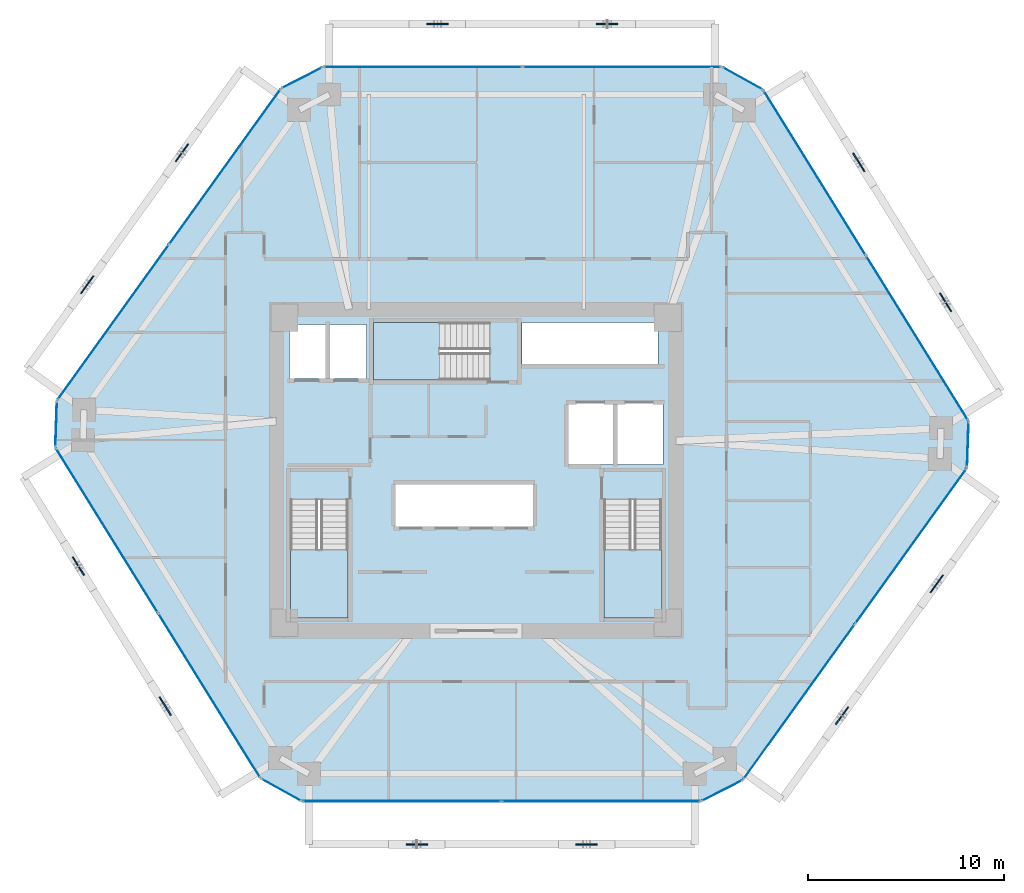
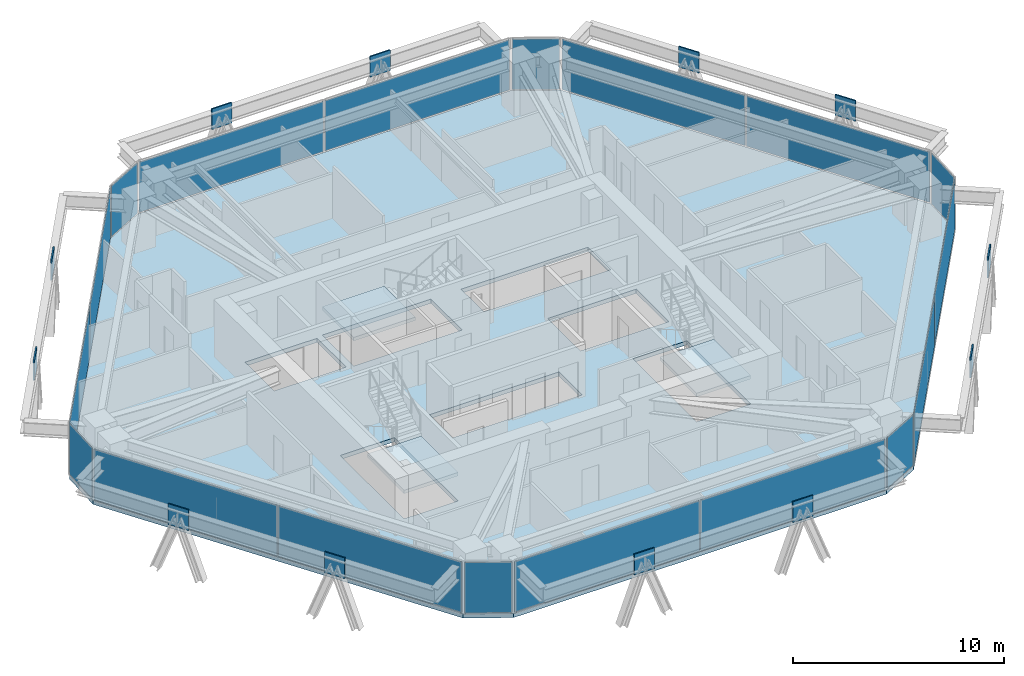
# One storey, part 9 of 16: 30 plates, 4 slabs, 15 elements without a shape of their own.
"""IFC4 building model written with IfcOpenShell, lengths in metres."""

from ifc_helpers import new_model, si_unit, direction, frame, origin, origin_2d, place, context, subcontext, project, spatial, polyline, rectangle, outline, extrude, source, transform, mapped, material, layer, layer_set, type_object, type_shapes, element, aggregate, save


model = new_model("IFC4")

# Units and contexts
model_context = context("Model", 3, precision=1e-05, world=origin(), true_north=direction((0.0, 1.0)))
body_context = subcontext(model_context, "Body", "Model", "MODEL_VIEW")
ifc_project = project(units=[si_unit("LENGTHUNIT", "METRE"), si_unit("AREAUNIT", "SQUARE_METRE"), si_unit("VOLUMEUNIT", "CUBIC_METRE"), si_unit("PLANEANGLEUNIT", "RADIAN"), si_unit("MASSUNIT", "GRAM", prefix="KILO")], contexts=[model_context])

# Site, building, storey
site_placement = place(None, origin())
site = spatial("IfcSite", under=ifc_project, at=site_placement, CompositionType="ELEMENT")
building_placement = place(site_placement, origin())
building = spatial("IfcBuilding", under=site, at=building_placement, Name="Durnholm Broadcast Tower", CompositionType="ELEMENT")
storey_placement = place(building_placement, frame((0.0, 0.0, 117.300048828125)))
storey = spatial("IfcBuildingStorey", under=building, at=storey_placement, Name="L31", CompositionType="ELEMENT", Elevation=117.300048828125)

# Slab
ifc_material_1 = material(Name="Concrete C50/60", Category="concrete")
ifc_layer_1 = layer(ifc_material_1, 0.239990234375)
ifc_layer_set_1 = layer_set([ifc_layer_1], Name="Concrete C50/60")
slab_type_1 = type_object("IfcSlabType", Name="SLAB-FLR-240", PredefinedType="FLOOR", material=ifc_layer_set_1)
slab_1_placement = place(storey_placement, frame((0.0, 0.0, -0.239990234375)))
element("IfcSlab", 1, at=slab_1_placement, inside=storey, type_object=slab_type_1, Name="L31 structural floor slab", PredefinedType="FLOOR", context=body_context, shape_type="SweptSolid", body=[
    extrude(outline(polyline([(-11.012451171875, -15.77001953125), (-8.915283203125, -16.93701171875), (11.51416015625, -16.93701171875), (13.649658203125, -15.841796875), (25.11279296875, 0.114990234375), (25.1943359375, 2.513671875), (14.6904296875, 19.447998046875), (12.59326171875, 20.614990234375), (-7.836181640625, 20.614990234375), (-9.9716796875, 19.519775390625), (-21.434814453125, 3.56298828125), (-21.516357421875, 1.164306640625), (-11.012451171875, -15.77001953125)]), holes=[polyline([(-6.5400390625, -1.5), (-9.5, -1.5), (-9.5, -7.550048828125), (-6.5400390625, -7.550048828125), (-6.5400390625, -1.5)]), polyline([(9.5, -7.550048828125), (9.5, -1.5), (6.5400390625, -1.5), (6.5400390625, -7.550048828125), (9.5, -7.550048828125)]), polyline([(2.949951171875, -0.699951171875), (-4.14990234375, -0.699951171875), (-4.14990234375, -2.89990234375), (2.949951171875, -2.89990234375), (2.949951171875, -0.699951171875)]), polyline([(9.550048828125, 3.39990234375), (4.699951171875, 3.39990234375), (4.699951171875, 0.300048828125), (9.550048828125, 0.300048828125), (9.550048828125, 3.39990234375)]), polyline([(-5.60009765625, 7.449951171875), (-9.550048828125, 7.449951171875), (-9.550048828125, 4.699951171875), (-5.60009765625, 4.699951171875), (-5.60009765625, 7.449951171875)]), polyline([(-5.25, 4.60009765625), (0.699951171875, 4.60009765625), (0.699951171875, 7.56005859375), (-5.25, 7.56005859375), (-5.25, 4.60009765625)]), polyline([(9.31005859375, 7.550048828125), (2.35009765625, 7.550048828125), (2.35009765625, 5.39990234375), (9.31005859375, 5.39990234375), (9.31005859375, 7.550048828125)])]), origin(), (0.0, 0.0, 1.0), 0.239990234375),
])

# Stair, slab
stair_type = type_object("IfcStairType", Name="STAIR-DL-20R1650", PredefinedType="HALF_TURN_STAIR", material=ifc_material_1)
stair_1_placement = place(storey_placement, origin())
stair_1 = element("IfcStair", 2, at=stair_1_placement, inside=storey, type_object=stair_type, Name="L31 ST-1", PredefinedType="HALF_TURN_STAIR")
ifc_layer_2 = layer(ifc_material_1, 0.199951171875)
ifc_layer_set_2 = layer_set([ifc_layer_2], Name="Concrete C50/60")
slab_type_2 = type_object("IfcSlabType", Name="SLAB-LND-200", PredefinedType="LANDING", material=ifc_layer_set_2)
slab_2_placement = place(storey_placement, frame((0.0, 0.0, 1.449951171875)))
slab_2 = element("IfcSlab", 3, at=slab_2_placement, type_object=slab_type_2, Name="ST-1 landing 1", PredefinedType="LANDING", context=body_context, shape_type="SweptSolid", body=[
    extrude(outline(polyline([(-9.5, -4.06494140625), (-9.5, -7.550048828125), (-6.5400390625, -7.550048828125), (-6.5400390625, -4.06494140625), (-9.5, -4.06494140625)])), origin(), (0.0, 0.0, 1.0), 0.199951171875),
])
aggregate(stair_1, [slab_2])

stair_2_placement = place(storey_placement, origin())
stair_2 = element("IfcStair", 4, at=stair_2_placement, inside=storey, type_object=stair_type, Name="L31 ST-2", PredefinedType="HALF_TURN_STAIR")
slab_3_placement = place(storey_placement, frame((0.0, 0.0, 1.449951171875)))
slab_3 = element("IfcSlab", 5, at=slab_3_placement, type_object=slab_type_2, Name="ST-2 landing 1", PredefinedType="LANDING", context=body_context, shape_type="SweptSolid", body=[
    extrude(outline(polyline([(6.5400390625, -4.06494140625), (6.5400390625, -7.550048828125), (9.5, -7.550048828125), (9.5, -4.06494140625), (6.5400390625, -4.06494140625)])), origin(), (0.0, 0.0, 1.0), 0.199951171875),
])
aggregate(stair_2, [slab_3])

stair_3_placement = place(storey_placement, origin())
stair_3 = element("IfcStair", 6, at=stair_3_placement, inside=storey, type_object=stair_type, Name="L31 ST-3", PredefinedType="HALF_TURN_STAIR")
slab_4_placement = place(storey_placement, frame((0.0, 0.0, 1.449951171875)))
slab_4 = element("IfcSlab", 7, at=slab_4_placement, type_object=slab_type_2, Name="ST-3 landing 1", PredefinedType="LANDING", context=body_context, shape_type="SweptSolid", body=[
    extrude(outline(polyline([(-1.864990234375, 7.56005859375), (-5.25, 7.56005859375), (-5.25, 4.60009765625), (-1.864990234375, 4.60009765625), (-1.864990234375, 7.56005859375)])), origin(), (0.0, 0.0, 1.0), 0.199951171875),
])
aggregate(stair_3, [slab_4])

# Plates
ifc_material_2 = material(Name="Steel ASTM A572 Grade 50", Category="steel")
ifc_layer_3 = layer(ifc_material_2, 0.070068359375)
ifc_layer_set_3 = layer_set([ifc_layer_3], Name="Steel ASTM A572 Grade 50")
plate_type_1 = type_object("IfcPlateType", Name="PLT-KN05-GUS", PredefinedType="USERDEFINED", material=ifc_layer_set_3)
shared_shape_1 = source(origin(), body_context, "Body", "SweptSolid", [
    extrude(rectangle(XDim=1.10009765625, YDim=0.070068359375, at=origin_2d()), origin(), (0.0, 0.0, 1.0), 1.199951171875),
])
type_shapes(plate_type_1, [shared_shape_1])
for number, where, z_axis, x_axis, name in (
    (8, (-3.028076171875, -19.136962890625, 1.70849609375), (0.0, 0.0, 1.0), (1.0, 0.0, 0.0), "L31 welded diagrid node gusset plate KN05 F1"),
    (9, (5.65234375, -19.136962890625, 1.70849609375), (0.0, 0.0, 1.0), (1.0, 0.0, 0.0), "L31 welded diagrid node gusset plate KN05 F1"),
    (10, (18.71875, -12.556396484375, 1.70849609375), (0.0, 0.0, 1.0), (0.583399467156, 0.812185361677, 0.0), "L31 welded diagrid node gusset plate KN05 F2"),
    (11, (23.56689453125, -5.807861328125, 1.70849609375), (0.0, 0.0, 1.0), (0.583399467156, 0.812185361677, 0.0), "L31 welded diagrid node gusset plate KN05 F2"),
    (12, (24.01513671875, 8.58837890625, 1.70849609375), (0.0, 0.0, 1.0), (-0.527104121728, 0.849800708906, 0.0), "L31 welded diagrid node gusset plate KN05 F3"),
    (13, (19.576416015625, 15.74462890625, 1.70849609375), (0.0, 0.0, 1.0), (-0.527104121728, 0.849800708906, 0.0), "L31 welded diagrid node gusset plate KN05 F3"),
    (14, (6.7060546875, 22.81494140625, 1.70849609375), (0.0, 0.0, 1.0), (-1.0, 0.0, 0.0), "L31 welded diagrid node gusset plate KN05 F4"),
    (15, (-1.974365234375, 22.81494140625, 1.70849609375), (0.0, 0.0, 1.0), (-1.0, 0.0, 0.0), "L31 welded diagrid node gusset plate KN05 F4"),
    (16, (-15.040771484375, 16.234375, 1.70849609375), (0.0, 0.0, 1.0), (-0.583399467156, -0.812185361677, 0.0), "L31 welded diagrid node gusset plate KN05 F5"),
    (17, (-19.888916015625, 9.48583984375, 1.70849609375), (0.0, 0.0, 1.0), (-0.583399467156, -0.812185361677, 0.0), "L31 welded diagrid node gusset plate KN05 F5"),
    (18, (-20.337158203125, -4.910400390625, 1.70849609375), (0.0, 0.0, 1.0), (0.527104121728, -0.849800708906, 0.0), "L31 welded diagrid node gusset plate KN05 F6"),
    (19, (-15.898193359375, -12.066650390625, 1.70849609375), (0.0, 0.0, 1.0), (0.527104121728, -0.849800708906, 0.0), "L31 welded diagrid node gusset plate KN05 F6"),
):
    element("IfcPlate", number, at=place(storey_placement, frame(where, z_axis=z_axis, x_axis=x_axis)), inside=storey, type_object=plate_type_1, Name=name, ObjectType="GUSSET_PLATE", PredefinedType="USERDEFINED", context=body_context, shape_type="MappedRepresentation", body=[
        mapped(shared_shape_1, transform((0.0, 0.0, 0.0), x_axis=(1.0, 0.0, 0.0), y_axis=(0.0, 1.0, 0.0), z_axis=(0.0, 0.0, 1.0), scale=1.0)),
    ])

# Curtain wall, plate
ifc_material_3 = material(Name="Aluminium and Solar Control IGU", Category="aluminium")
ifc_layer_4 = layer(ifc_material_3, 0.1650390625)
ifc_layer_set_4 = layer_set([ifc_layer_4], Name="Aluminium and Solar Control IGU")
curtain_wall_type_1 = type_object("IfcCurtainWallType", Name="CW-SYS-5", PredefinedType="NOTDEFINED", material=ifc_layer_set_4)
curtain_wall_1_placement = place(storey_placement, origin())
curtain_wall_1 = element("IfcCurtainWall", 20, at=curtain_wall_1_placement, inside=storey, type_object=curtain_wall_type_1, Name="L31 curtain wall CW-CORNER CW-L31-CRN-01", PredefinedType="NOTDEFINED")
ifc_material_4 = material(Name="Low-E Laminated Insulating Glass", Category="glass")
ifc_layer_5 = layer(ifc_material_4, 0.030029296875)
ifc_layer_set_5 = layer_set([ifc_layer_5], Name="Low-E Laminated Insulating Glass")
plate_type_2 = type_object("IfcPlateType", Name="CW-SYS-5-PNL", PredefinedType="CURTAIN_PANEL", material=ifc_layer_set_5)
shared_shape_2 = source(origin(), body_context, "Body", "SweptSolid", [
    extrude(rectangle(XDim=2.27001953125, YDim=0.030029296875, at=origin_2d()), origin(), (0.0, 0.0, 1.0), 2.929931640625),
])
type_shapes(plate_type_2, [shared_shape_2])
plate_1_placement = place(storey_placement, frame((-21.4755859375, 2.36376953125, 0.06494140625), z_axis=(0.0, 0.0, 1.0), x_axis=(0.033916937775, 0.999424655155, 0.0)))
plate_1 = element("IfcPlate", 21, at=plate_1_placement, type_object=plate_type_2, Name="CW-CORNER panel 1.1", PredefinedType="CURTAIN_PANEL", context=body_context, shape_type="MappedRepresentation", body=[
    mapped(shared_shape_2, transform((0.0, 0.0, 0.0), x_axis=(1.0, 0.0, 0.0), y_axis=(0.0, 1.0, 0.0), z_axis=(0.0, 0.0, 1.0), scale=1.0)),
])
aggregate(curtain_wall_1, [plate_1])

curtain_wall_2_placement = place(storey_placement, origin())
curtain_wall_2 = element("IfcCurtainWall", 22, at=curtain_wall_2_placement, inside=storey, type_object=curtain_wall_type_1, Name="L31 curtain wall CW-CORNER CW-L31-CRN-03", PredefinedType="NOTDEFINED")
plate_2_placement = place(storey_placement, frame((-8.904052734375, 20.0673828125, 0.06494140625), z_axis=(0.0, 0.0, 1.0), x_axis=(0.889788396392, 0.45637332267, 0.0)))
plate_2 = element("IfcPlate", 23, at=plate_2_placement, type_object=plate_type_2, Name="CW-CORNER panel 1.1", PredefinedType="CURTAIN_PANEL", context=body_context, shape_type="MappedRepresentation", body=[
    mapped(shared_shape_2, transform((0.0, 0.0, 0.0), x_axis=(1.0, 0.0, 0.0), y_axis=(0.0, 1.0, 0.0), z_axis=(0.0, 0.0, 1.0), scale=1.0)),
])
aggregate(curtain_wall_2, [plate_2])

curtain_wall_3_placement = place(storey_placement, origin())
curtain_wall_3 = element("IfcCurtainWall", 24, at=curtain_wall_3_placement, inside=storey, type_object=curtain_wall_type_1, Name="L31 curtain wall CW-CORNER CW-L31-CRN-05", PredefinedType="NOTDEFINED")
plate_3_placement = place(storey_placement, frame((13.641845703125, 20.031494140625, 0.06494140625), z_axis=(0.0, 0.0, 1.0), x_axis=(0.873822953715, -0.486244224192, 0.0)))
plate_3 = element("IfcPlate", 25, at=plate_3_placement, type_object=plate_type_2, Name="CW-CORNER panel 1.1", PredefinedType="CURTAIN_PANEL", context=body_context, shape_type="MappedRepresentation", body=[
    mapped(shared_shape_2, transform((0.0, 0.0, 0.0), x_axis=(1.0, 0.0, 0.0), y_axis=(0.0, 1.0, 0.0), z_axis=(0.0, 0.0, 1.0), scale=1.0)),
])
aggregate(curtain_wall_3, [plate_3])

curtain_wall_4_placement = place(storey_placement, origin())
curtain_wall_4 = element("IfcCurtainWall", 26, at=curtain_wall_4_placement, inside=storey, type_object=curtain_wall_type_1, Name="L31 curtain wall CW-CORNER CW-L31-CRN-07", PredefinedType="NOTDEFINED")
plate_4_placement = place(storey_placement, frame((25.153564453125, 1.314208984375, 0.06494140625), z_axis=(0.0, 0.0, 1.0), x_axis=(-0.033916937775, -0.999424655155, 0.0)))
plate_4 = element("IfcPlate", 27, at=plate_4_placement, type_object=plate_type_2, Name="CW-CORNER panel 1.1", PredefinedType="CURTAIN_PANEL", context=body_context, shape_type="MappedRepresentation", body=[
    mapped(shared_shape_2, transform((0.0, 0.0, 0.0), x_axis=(1.0, 0.0, 0.0), y_axis=(0.0, 1.0, 0.0), z_axis=(0.0, 0.0, 1.0), scale=1.0)),
])
aggregate(curtain_wall_4, [plate_4])

curtain_wall_5_placement = place(storey_placement, origin())
curtain_wall_5 = element("IfcCurtainWall", 28, at=curtain_wall_5_placement, inside=storey, type_object=curtain_wall_type_1, Name="L31 curtain wall CW-CORNER CW-L31-CRN-09", PredefinedType="NOTDEFINED")
plate_5_placement = place(storey_placement, frame((12.58203125, -16.389404296875, 0.06494140625), z_axis=(0.0, 0.0, 1.0), x_axis=(-0.889788396392, -0.45637332267, 0.0)))
plate_5 = element("IfcPlate", 29, at=plate_5_placement, type_object=plate_type_2, Name="CW-CORNER panel 1.1", PredefinedType="CURTAIN_PANEL", context=body_context, shape_type="MappedRepresentation", body=[
    mapped(shared_shape_2, transform((0.0, 0.0, 0.0), x_axis=(1.0, 0.0, 0.0), y_axis=(0.0, 1.0, 0.0), z_axis=(0.0, 0.0, 1.0), scale=1.0)),
])
aggregate(curtain_wall_5, [plate_5])

curtain_wall_6_placement = place(storey_placement, origin())
curtain_wall_6 = element("IfcCurtainWall", 30, at=curtain_wall_6_placement, inside=storey, type_object=curtain_wall_type_1, Name="L31 curtain wall CW-CORNER CW-L31-CRN-11", PredefinedType="NOTDEFINED")
plate_6_placement = place(storey_placement, frame((-9.9638671875, -16.353515625, 0.06494140625), z_axis=(0.0, 0.0, 1.0), x_axis=(-0.873822953715, 0.486244224192, 0.0)))
plate_6 = element("IfcPlate", 31, at=plate_6_placement, type_object=plate_type_2, Name="CW-CORNER panel 1.1", PredefinedType="CURTAIN_PANEL", context=body_context, shape_type="MappedRepresentation", body=[
    mapped(shared_shape_2, transform((0.0, 0.0, 0.0), x_axis=(1.0, 0.0, 0.0), y_axis=(0.0, 1.0, 0.0), z_axis=(0.0, 0.0, 1.0), scale=1.0)),
])
aggregate(curtain_wall_6, [plate_6])

# Curtain wall, plates
ifc_layer_6 = layer(ifc_material_3, 0.18994140625)
ifc_layer_set_6 = layer_set([ifc_layer_6], Name="Aluminium and Solar Control IGU")
curtain_wall_type_2 = type_object("IfcCurtainWallType", Name="CW-SYS-3", PredefinedType="NOTDEFINED", material=ifc_layer_set_6)
curtain_wall_7_placement = place(storey_placement, origin())
curtain_wall_7 = element("IfcCurtainWall", 32, at=curtain_wall_7_placement, inside=storey, type_object=curtain_wall_type_2, Name="L31 curtain wall CW-Z12-VIS CW-L31-F02", PredefinedType="NOTDEFINED")
ifc_layer_7 = layer(ifc_material_4, 0.031982421875)
ifc_layer_set_7 = layer_set([ifc_layer_7], Name="Low-E Laminated Insulating Glass")
plate_type_3 = type_object("IfcPlateType", Name="CW-SYS-3-PNL", PredefinedType="CURTAIN_PANEL", material=ifc_layer_set_7)
shared_shape_3 = source(origin(), body_context, "Body", "SweptSolid", [
    extrude(rectangle(XDim=9.71875, YDim=0.031982421875, at=origin_2d()), origin(), (0.0, 0.0, 1.0), 2.919921875),
])
plate_7_placement = place(storey_placement, frame((-18.558837890625, 7.56640625, 0.070068359375), z_axis=(0.0, 0.0, 1.0), x_axis=(0.583445473786, 0.812152312759, 0.0)))
plate_7 = element("IfcPlate", 33, at=plate_7_placement, type_object=plate_type_3, Name="CW-Z12-VIS panel 1.1", PredefinedType="CURTAIN_PANEL", context=body_context, shape_type="MappedRepresentation", body=[
    mapped(shared_shape_3, transform((0.0, 0.0, 0.0), x_axis=(1.0, 0.0, 0.0), y_axis=(0.0, 1.0, 0.0), z_axis=(0.0, 0.0, 1.0), scale=1.0)),
])
plate_8_placement = place(storey_placement, frame((-12.84765625, 15.516357421875, 0.070068359375), z_axis=(0.0, 0.0, 1.0), x_axis=(0.583445473786, 0.812152312759, 0.0)))
plate_8 = element("IfcPlate", 34, at=plate_8_placement, type_object=plate_type_3, Name="CW-Z12-VIS panel 2.1", PredefinedType="CURTAIN_PANEL", context=body_context, shape_type="MappedRepresentation", body=[
    mapped(shared_shape_3, transform((0.0, 0.0, 0.0), x_axis=(1.0, 0.0, 0.0), y_axis=(0.0, 1.0, 0.0), z_axis=(0.0, 0.0, 1.0), scale=1.0)),
])
aggregate(curtain_wall_7, [plate_7, plate_8])

curtain_wall_8_placement = place(storey_placement, origin())
curtain_wall_8 = element("IfcCurtainWall", 35, at=curtain_wall_8_placement, inside=storey, type_object=curtain_wall_type_2, Name="L31 curtain wall CW-Z12-VIS CW-L31-F08", PredefinedType="NOTDEFINED")
plate_9_placement = place(storey_placement, frame((22.23681640625, -3.888427734375, 0.070068359375), z_axis=(0.0, 0.0, 1.0), x_axis=(-0.583445473786, -0.812152312759, 0.0)))
plate_9 = element("IfcPlate", 36, at=plate_9_placement, type_object=plate_type_3, Name="CW-Z12-VIS panel 1.1", PredefinedType="CURTAIN_PANEL", context=body_context, shape_type="MappedRepresentation", body=[
    mapped(shared_shape_3, transform((0.0, 0.0, 0.0), x_axis=(1.0, 0.0, 0.0), y_axis=(0.0, 1.0, 0.0), z_axis=(0.0, 0.0, 1.0), scale=1.0)),
])
plate_10_placement = place(storey_placement, frame((16.525634765625, -11.83837890625, 0.070068359375), z_axis=(0.0, 0.0, 1.0), x_axis=(-0.583445473786, -0.812152312759, 0.0)))
plate_10 = element("IfcPlate", 37, at=plate_10_placement, type_object=plate_type_3, Name="CW-Z12-VIS panel 2.1", PredefinedType="CURTAIN_PANEL", context=body_context, shape_type="MappedRepresentation", body=[
    mapped(shared_shape_3, transform((0.0, 0.0, 0.0), x_axis=(1.0, 0.0, 0.0), y_axis=(0.0, 1.0, 0.0), z_axis=(0.0, 0.0, 1.0), scale=1.0)),
])
aggregate(curtain_wall_8, [plate_9, plate_10])

curtain_wall_9_placement = place(storey_placement, origin())
curtain_wall_9 = element("IfcCurtainWall", 38, at=curtain_wall_9_placement, inside=storey, type_object=curtain_wall_type_2, Name="L31 curtain wall CW-Z12-VIS CW-L31-F04", PredefinedType="NOTDEFINED")
shared_shape_4 = source(origin(), body_context, "Body", "SweptSolid", [
    extrude(rectangle(XDim=10.109619140625, YDim=0.031982421875, at=origin_2d()), origin(), (0.0, 0.0, 1.0), 2.919921875),
])
plate_11_placement = place(storey_placement, frame((-2.71142578125, 20.614990234375, 0.070068359375), z_axis=(0.0, 0.0, 1.0), x_axis=(1.0, 0.0, 0.0)))
plate_11 = element("IfcPlate", 39, at=plate_11_placement, type_object=plate_type_3, Name="CW-Z12-VIS panel 1.1", PredefinedType="CURTAIN_PANEL", context=body_context, shape_type="MappedRepresentation", body=[
    mapped(shared_shape_4, transform((0.0, 0.0, 0.0), x_axis=(1.0, 0.0, 0.0), y_axis=(0.0, 1.0, 0.0), z_axis=(0.0, 0.0, 1.0), scale=1.0)),
])
plate_12_placement = place(storey_placement, frame((7.46826171875, 20.614990234375, 0.070068359375), z_axis=(0.0, 0.0, 1.0), x_axis=(1.0, 0.0, 0.0)))
plate_12 = element("IfcPlate", 40, at=plate_12_placement, type_object=plate_type_3, Name="CW-Z12-VIS panel 2.1", PredefinedType="CURTAIN_PANEL", context=body_context, shape_type="MappedRepresentation", body=[
    mapped(shared_shape_4, transform((0.0, 0.0, 0.0), x_axis=(1.0, 0.0, 0.0), y_axis=(0.0, 1.0, 0.0), z_axis=(0.0, 0.0, 1.0), scale=1.0)),
])
aggregate(curtain_wall_9, [plate_11, plate_12])

curtain_wall_10_placement = place(storey_placement, origin())
curtain_wall_10 = element("IfcCurtainWall", 41, at=curtain_wall_10_placement, inside=storey, type_object=curtain_wall_type_2, Name="L31 curtain wall CW-Z12-VIS CW-L31-F10", PredefinedType="NOTDEFINED")
plate_13_placement = place(storey_placement, frame((6.389404296875, -16.93701171875, 0.070068359375), z_axis=(0.0, 0.0, 1.0), x_axis=(-1.0, 0.0, 0.0)))
plate_13 = element("IfcPlate", 42, at=plate_13_placement, type_object=plate_type_3, Name="CW-Z12-VIS panel 1.1", PredefinedType="CURTAIN_PANEL", context=body_context, shape_type="MappedRepresentation", body=[
    mapped(shared_shape_4, transform((0.0, 0.0, 0.0), x_axis=(1.0, 0.0, 0.0), y_axis=(0.0, 1.0, 0.0), z_axis=(0.0, 0.0, 1.0), scale=1.0)),
])
plate_14_placement = place(storey_placement, frame((-3.790283203125, -16.93701171875, 0.070068359375), z_axis=(0.0, 0.0, 1.0), x_axis=(-1.0, 0.0, 0.0)))
plate_14 = element("IfcPlate", 43, at=plate_14_placement, type_object=plate_type_3, Name="CW-Z12-VIS panel 2.1", PredefinedType="CURTAIN_PANEL", context=body_context, shape_type="MappedRepresentation", body=[
    mapped(shared_shape_4, transform((0.0, 0.0, 0.0), x_axis=(1.0, 0.0, 0.0), y_axis=(0.0, 1.0, 0.0), z_axis=(0.0, 0.0, 1.0), scale=1.0)),
])
aggregate(curtain_wall_10, [plate_13, plate_14])

curtain_wall_11_placement = place(storey_placement, origin())
curtain_wall_11 = element("IfcCurtainWall", 44, at=curtain_wall_11_placement, inside=storey, type_object=curtain_wall_type_2, Name="L31 curtain wall CW-Z12-VIS CW-L31-F06", PredefinedType="NOTDEFINED")
shared_shape_5 = source(origin(), body_context, "Body", "SweptSolid", [
    extrude(rectangle(XDim=9.858642578125, YDim=0.031982421875, at=origin_2d()), origin(), (0.0, 0.0, 1.0), 2.919921875),
])
type_shapes(plate_type_3, [shared_shape_3, shared_shape_4, shared_shape_5])
plate_15_placement = place(storey_placement, frame((17.32568359375, 15.199462890625, 0.070068359375), z_axis=(0.0, 0.0, 1.0), x_axis=(0.527105385176, -0.849799925229, 0.0)))
plate_15 = element("IfcPlate", 45, at=plate_15_placement, type_object=plate_type_3, Name="CW-Z12-VIS panel 1.1", PredefinedType="CURTAIN_PANEL", context=body_context, shape_type="MappedRepresentation", body=[
    mapped(shared_shape_5, transform((0.0, 0.0, 0.0), x_axis=(1.0, 0.0, 0.0), y_axis=(0.0, 1.0, 0.0), z_axis=(0.0, 0.0, 1.0), scale=1.0)),
])
plate_16_placement = place(storey_placement, frame((22.55908203125, 6.761962890625, 0.070068359375), z_axis=(0.0, 0.0, 1.0), x_axis=(0.527105385176, -0.849799925229, 0.0)))
plate_16 = element("IfcPlate", 46, at=plate_16_placement, type_object=plate_type_3, Name="CW-Z12-VIS panel 2.1", PredefinedType="CURTAIN_PANEL", context=body_context, shape_type="MappedRepresentation", body=[
    mapped(shared_shape_5, transform((0.0, 0.0, 0.0), x_axis=(1.0, 0.0, 0.0), y_axis=(0.0, 1.0, 0.0), z_axis=(0.0, 0.0, 1.0), scale=1.0)),
])
aggregate(curtain_wall_11, [plate_15, plate_16])

curtain_wall_12_placement = place(storey_placement, origin())
curtain_wall_12 = element("IfcCurtainWall", 47, at=curtain_wall_12_placement, inside=storey, type_object=curtain_wall_type_2, Name="L31 curtain wall CW-Z12-VIS CW-L31-F12", PredefinedType="NOTDEFINED")
plate_17_placement = place(storey_placement, frame((-13.647705078125, -11.521484375, 0.070068359375), z_axis=(0.0, 0.0, 1.0), x_axis=(-0.527105385176, 0.849799925229, 0.0)))
plate_17 = element("IfcPlate", 48, at=plate_17_placement, type_object=plate_type_3, Name="CW-Z12-VIS panel 1.1", PredefinedType="CURTAIN_PANEL", context=body_context, shape_type="MappedRepresentation", body=[
    mapped(shared_shape_5, transform((0.0, 0.0, 0.0), x_axis=(1.0, 0.0, 0.0), y_axis=(0.0, 1.0, 0.0), z_axis=(0.0, 0.0, 1.0), scale=1.0)),
])
plate_18_placement = place(storey_placement, frame((-18.881103515625, -3.083984375, 0.070068359375), z_axis=(0.0, 0.0, 1.0), x_axis=(-0.527105385176, 0.849799925229, 0.0)))
plate_18 = element("IfcPlate", 49, at=plate_18_placement, type_object=plate_type_3, Name="CW-Z12-VIS panel 2.1", PredefinedType="CURTAIN_PANEL", context=body_context, shape_type="MappedRepresentation", body=[
    mapped(shared_shape_5, transform((0.0, 0.0, 0.0), x_axis=(1.0, 0.0, 0.0), y_axis=(0.0, 1.0, 0.0), z_axis=(0.0, 0.0, 1.0), scale=1.0)),
])
aggregate(curtain_wall_12, [plate_17, plate_18])

save(model, "model.ifc")
